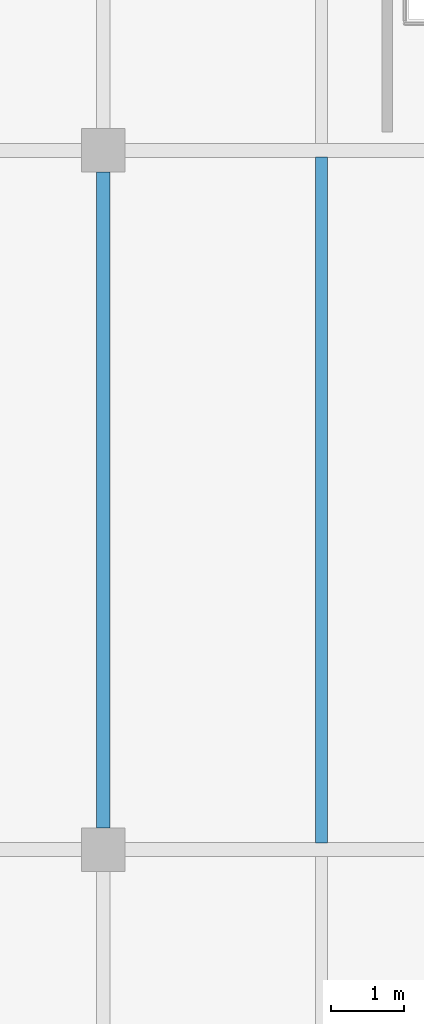
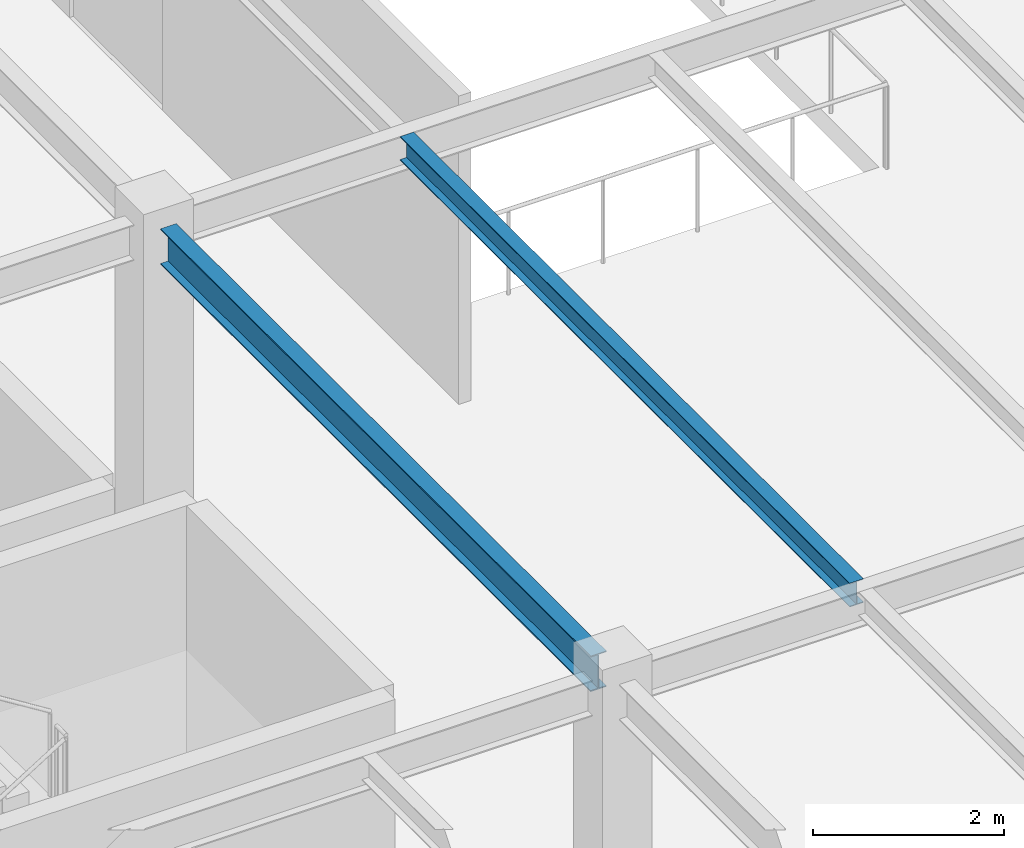
# One storey, part 38 of 83: 2 beams.
"""IFC4 building model written with IfcOpenShell, lengths in metres."""

from ifc_helpers import new_model, si_unit, direction, frame, origin, origin_2d, place, context, subcontext, project, spatial, i_section, extrude, material, material_profile, profile_set, type_object, element, save


model = new_model("IFC4")

# Units and contexts
model_context = context("Model", 3, precision=1e-05, world=origin(), true_north=direction((0.0, 1.0)))
body_context = subcontext(model_context, "Body", "Model", "MODEL_VIEW")
ifc_project = project(units=[si_unit("LENGTHUNIT", "METRE"), si_unit("AREAUNIT", "SQUARE_METRE"), si_unit("VOLUMEUNIT", "CUBIC_METRE"), si_unit("PLANEANGLEUNIT", "RADIAN"), si_unit("MASSUNIT", "GRAM", prefix="KILO")], contexts=[model_context])

# Site, building, storey
site_placement = place(None, origin())
site = spatial("IfcSite", under=ifc_project, at=site_placement, CompositionType="ELEMENT")
building_placement = place(site_placement, origin())
building = spatial("IfcBuilding", under=site, at=building_placement, Name="Pandanus Reach Market Hall", CompositionType="ELEMENT")
storey_placement = place(building_placement, frame((0.0, 0.0, 10.199951171875)))
storey = spatial("IfcBuildingStorey", under=building, at=storey_placement, Name="L02", CompositionType="ELEMENT", Elevation=10.199951171875)

# Beams
ifc_material = material(Name="Steel Grade 350 (350 MPa)", Category="steel")
ifc_material_profile_1 = material_profile(ifc_material, i_section(OverallWidth=0.18994140625, OverallDepth=0.45703125, WebThickness=0.009033203125, FlangeThickness=0.014404296875, at=origin_2d()), Name="460UB74.6", Category="LoadBearing")
ifc_profile_set_1 = profile_set([ifc_material_profile_1], Name="Steel Grade 350 (350 MPa)")
beam_type_1 = type_object("IfcBeamType", Name="BM-UB460-I", PredefinedType="BEAM", material=ifc_profile_set_1)
beam_1_placement = place(storey_placement, frame((156.0, 48.298095703125, 3.72119140625), z_axis=(0.0, 1.0, 0.0), x_axis=(-1.0, 0.0, 0.0)))
element("IfcBeam", 1, at=beam_1_placement, inside=storey, type_object=beam_type_1, Name="Framing beam BM-UB460-I L02.471", PredefinedType="BEAM", context=body_context, shape_type="SweptSolid", body=[
    extrude(i_section(OverallWidth=0.18994140625, OverallDepth=0.45703125, WebThickness=0.009033203125, FlangeThickness=0.014404296875, at=origin_2d()), origin(), (0.0, 0.0, 1.0), 9.00390625),
])
ifc_material_profile_2 = material_profile(ifc_material, i_section(OverallWidth=0.1650390625, OverallDepth=0.303955078125, WebThickness=0.006103515625, FlangeThickness=0.01025390625, at=origin_2d()), Name="310UB40.4", Category="LoadBearing")
ifc_profile_set_2 = profile_set([ifc_material_profile_2], Name="Steel Grade 350 (350 MPa)")
beam_type_2 = type_object("IfcBeamType", Name="JS-UB310-I", PredefinedType="JOIST", material=ifc_profile_set_2)
beam_2_placement = place(storey_placement, frame((159.0, 48.093017578125, 3.797607421875), z_axis=(0.0, 1.0, 0.0), x_axis=(-1.0, 0.0, 0.0)))
element("IfcBeam", 2, at=beam_2_placement, inside=storey, type_object=beam_type_2, Name="Secondary joist JS-UB310-I L02.511", PredefinedType="JOIST", context=body_context, shape_type="SweptSolid", body=[
    extrude(i_section(OverallWidth=0.1650390625, OverallDepth=0.303955078125, WebThickness=0.006103515625, FlangeThickness=0.01025390625, at=origin_2d()), origin(), (0.0, 0.0, 1.0), 9.4140625),
])

save(model, "model.ifc")
